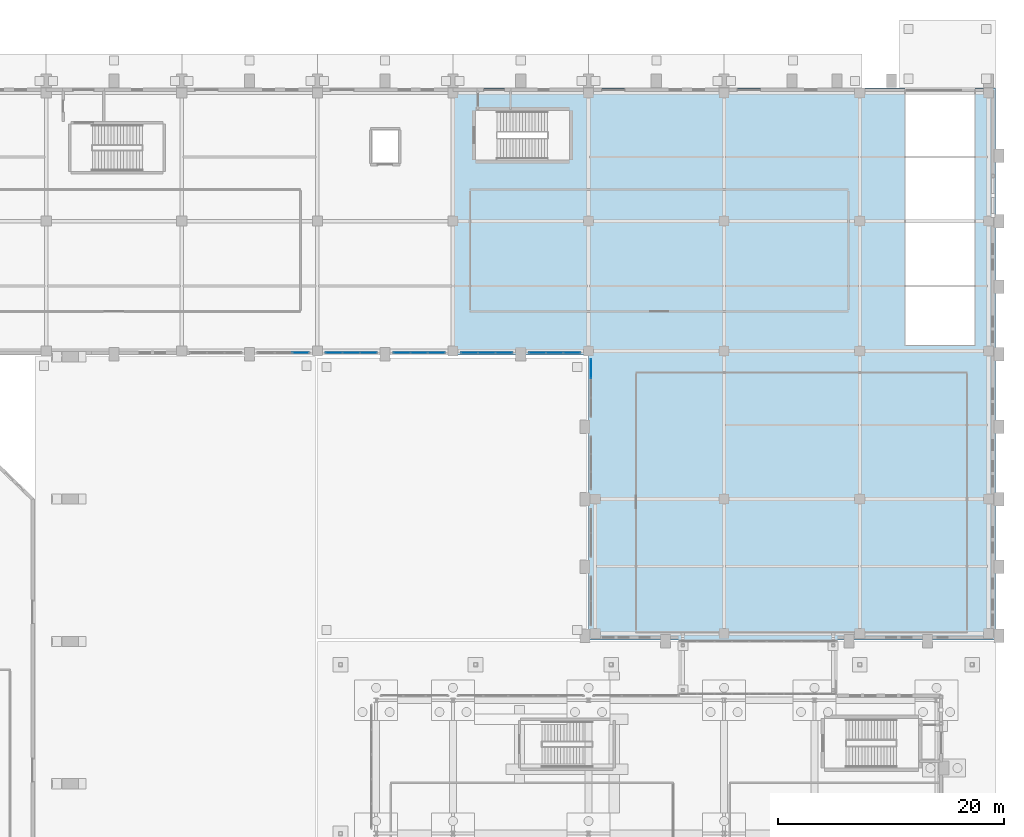
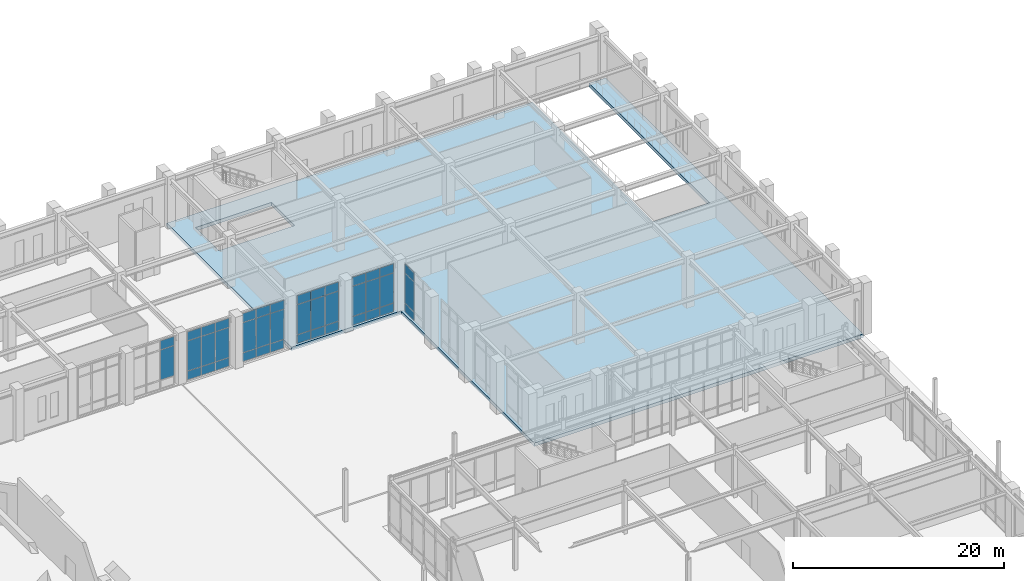
# One storey, part 96 of 143: 41 plates, 1 slab, 6 elements without a shape of their own.
"""IFC4 building model written with IfcOpenShell, lengths in metres."""

import ifcopenshell
import ifcopenshell.guid

model = None  # the IFC model being written
_history = None  # IfcOwnerHistory: only IFC2X3 demands one
_inside = {}  # id of a spatial element -> (the spatial element, [elements in it])
_under = {}  # id of a project, library or spatial element -> (it, [spatial elements below it])
_declared = {}  # id of a project -> (the project, [libraries it declares])
_typed = {}  # id of a type object -> (the type object, [elements of that type])
_made_of = {}  # id of a material, layer set ... -> (it, [elements and type objects made of it])


def new_model(schema):
    """Start an empty IFC model of exactly this schema.

    Asked for "IFC4X3", IfcOpenShell would pick the latest addendum, in which some entities
    have other attributes; the version numbers below select the first issue.
    IFC2X3 requires an IfcOwnerHistory on every rooted entity: one is made here for all.
    """
    global model, _history
    if schema == "IFC4X3":
        model = ifcopenshell.file(schema_version=(4, 3, 0, 0))
    else:
        model = ifcopenshell.file(schema=schema)
    _inside.clear()
    _under.clear()
    _declared.clear()
    _typed.clear()
    _made_of.clear()
    _history = None
    if model.schema == "IFC2X3":
        org = make("IfcOrganization", Name="unknown")
        user = make(
            "IfcPersonAndOrganization",
            ThePerson=make("IfcPerson", FamilyName="unknown"),
            TheOrganization=org,
        )
        app = make(
            "IfcApplication",
            ApplicationDeveloper=org,
            Version="unknown",
            ApplicationFullName="unknown",
            ApplicationIdentifier="unknown",
        )
        _history = make(
            "IfcOwnerHistory",
            OwningUser=user,
            OwningApplication=app,
            ChangeAction="ADDED",
            CreationDate=0,
        )
    return model


def make(cls, **values):
    """One entity of the class cls with the attributes given. An attribute that is None is left unset."""
    return model.create_entity(
        cls, **{name: value for name, value in values.items() if value is not None}
    )


def rooted(cls, **values):
    """An entity with a GlobalId (a new one), such as an element, a storey or a relation."""
    return make(cls, GlobalId=ifcopenshell.guid.new(), OwnerHistory=_history, **values)


def si_unit(unit_type, name, prefix=None):
    """IfcSIUnit, for example si_unit("LENGTHUNIT", "METRE", prefix="MILLI")."""
    return make("IfcSIUnit", UnitType=unit_type, Prefix=prefix, Name=name)


def derived_unit(unit_type, elements):
    """IfcDerivedUnit: a product of units, each with its exponent."""
    return make(
        "IfcDerivedUnit",
        Elements=[
            make("IfcDerivedUnitElement", Unit=unit, Exponent=power)
            for unit, power in elements
        ],
        UnitType=unit_type,
    )


def assignment(units):
    """IfcUnitAssignment: the units of a project."""
    return None if units is None else make("IfcUnitAssignment", Units=units)


def point(xyz):
    """IfcCartesianPoint."""
    return None if xyz is None else make("IfcCartesianPoint", Coordinates=xyz)


def direction(xyz):
    """IfcDirection."""
    return None if xyz is None else make("IfcDirection", DirectionRatios=xyz)


def frame(location, z_axis=None, x_axis=None):
    """IfcAxis2Placement3D, a coordinate frame: its origin and axes. An axis left out is left unset."""
    return make(
        "IfcAxis2Placement3D",
        Location=point(location),
        Axis=direction(z_axis),
        RefDirection=direction(x_axis),
    )


def frame_2d(location, x_axis=None):
    """IfcAxis2Placement2D, a coordinate frame in the plane: its origin and x axis."""
    return make(
        "IfcAxis2Placement2D", Location=point(location), RefDirection=direction(x_axis)
    )


def origin():
    """The frame at (0, 0, 0) with its axes left unset."""
    return frame((0.0, 0.0, 0.0))


def origin_2d():
    """The frame at (0, 0) in the plane with its x axis left unset."""
    return frame_2d((0.0, 0.0))


def place(relative_to, where):
    """IfcLocalPlacement: puts the frame where relative to a parent placement (None: the world)."""
    return make(
        "IfcLocalPlacement", PlacementRelTo=relative_to, RelativePlacement=where
    )


def context(
    kind, dimensions, precision=None, world=None, true_north=None, identifier=None
):
    """IfcGeometricRepresentationContext, for example the 3D "Model" context."""
    return make(
        "IfcGeometricRepresentationContext",
        ContextIdentifier=identifier,
        ContextType=kind,
        CoordinateSpaceDimension=dimensions,
        Precision=precision,
        WorldCoordinateSystem=world,
        TrueNorth=true_north,
    )


def subcontext(parent, identifier, kind, view, scale=None):
    """IfcGeometricRepresentationSubContext, for example "Body" below "Model"."""
    return make(
        "IfcGeometricRepresentationSubContext",
        ContextIdentifier=identifier,
        ContextType=kind,
        ParentContext=parent,
        TargetScale=scale,
        TargetView=view,
    )


def project(units=None, contexts=None):
    """IfcProject with its units and contexts."""
    return rooted(
        "IfcProject",
        Name="project",
        RepresentationContexts=contexts,
        UnitsInContext=assignment(units),
    )


def spatial(cls, under=None, at=None, **own):
    """A site, building, storey or space (cls), placed at a placement, below another one or the project."""
    s = rooted(cls, ObjectPlacement=at, **own)
    if under is not None:
        _under.setdefault(under.id(), (under, []))[1].append(s)
    return s


def polyline(points):
    """IfcPolyline through the points."""
    return make("IfcPolyline", Points=[point(p) for p in points])


def profile(cls, at=None, kind="AREA", **sizes):
    """A parametric profile (cls). Its sizes go by their IFC names, for example OverallWidth=200.0."""
    return make(cls, ProfileType=kind, Position=at, **sizes)


def rectangle(**sizes):
    """IfcRectangleProfileDef."""
    return profile("IfcRectangleProfileDef", **sizes)


def outline(outer, holes=None, kind="AREA"):
    """IfcArbitraryClosedProfileDef: a profile drawn as a closed curve; with holes, ...WithVoids."""
    if holes is None:
        return make("IfcArbitraryClosedProfileDef", ProfileType=kind, OuterCurve=outer)
    return make(
        "IfcArbitraryProfileDefWithVoids",
        ProfileType=kind,
        OuterCurve=outer,
        InnerCurves=holes,
    )


def extrude(swept, where, along, depth):
    """IfcExtrudedAreaSolid: the profile swept, set in the frame where, extruded along a direction by depth."""
    return make(
        "IfcExtrudedAreaSolid",
        SweptArea=swept,
        Position=where,
        ExtrudedDirection=direction(along),
        Depth=depth,
    )


def shape(context_of_items, identifier, shape_type, items):
    """IfcShapeRepresentation: the items that make up one representation, for example the "Body"."""
    return make(
        "IfcShapeRepresentation",
        ContextOfItems=context_of_items,
        RepresentationIdentifier=identifier,
        RepresentationType=shape_type,
        Items=items,
    )


def material(Name=None, Category=None):
    """IfcMaterial."""
    return make("IfcMaterial", Name=Name, Category=Category)


def layer(
    of_material, thickness, ventilated=None, Name=None, Category=None, Priority=None
):
    """IfcMaterialLayer: one layer of a wall or slab, of a material (None: an air gap)."""
    return make(
        "IfcMaterialLayer",
        Material=of_material,
        LayerThickness=thickness,
        IsVentilated=ventilated,
        Name=Name,
        Category=Category,
        Priority=Priority,
    )


def layer_set(layers, Name=None):
    """IfcMaterialLayerSet."""
    return make("IfcMaterialLayerSet", MaterialLayers=layers, LayerSetName=Name)


def made_of(thing, what):
    """Note that an element or type object is made of a material, layer set ...; save() writes the relation."""
    if what is not None:
        _made_of.setdefault(what.id(), (what, []))[1].append(thing)
    return thing


def type_object(cls, material=None, **own):
    """A type object (cls), such as IfcWallType, which elements share."""
    return made_of(rooted(cls, **own), material)


def element(
    cls,
    number,
    at=None,
    inside=None,
    cuts=None,
    type_object=None,
    material=None,
    context=None,
    identifier="Body",
    shape_type=None,
    held_by="IfcProductDefinitionShape",
    body=None,
    shapes=None,
    **own,
):
    """One element of the class cls, such as IfcWall. Its Tag is "e" and its number.

    at: its placement. inside: the storey or other place that contains it. cuts: it is an
    opening in that element (IfcRelVoidsElement). A single representation is given by context,
    identifier, shape_type and body (its items); several are given by shapes. held_by: the class
    of the entity that holds the representations. save() writes the other relations.
    """
    e = rooted(cls, Tag="e%d" % number, ObjectPlacement=at, **own)
    if body is not None:
        shapes = [shape(context, identifier, shape_type, body)]
    if shapes is not None:
        e.Representation = make(held_by, Representations=shapes)
    if inside is not None:
        _inside.setdefault(inside.id(), (inside, []))[1].append(e)
    if cuts is not None:
        rooted(
            "IfcRelVoidsElement", RelatingBuildingElement=cuts, RelatedOpeningElement=e
        )
    if type_object is not None:
        _typed.setdefault(type_object.id(), (type_object, []))[1].append(e)
    return made_of(e, material)


def aggregate(whole, parts):
    """IfcRelAggregates: a whole, such as a stair, and the parts it consists of."""
    return rooted("IfcRelAggregates", RelatingObject=whole, RelatedObjects=parts)


def save(model, path):
    """Write the relations noted so far, then the file.

    IfcRelAggregates (storeys below a building ...), IfcRelContainedInSpatialStructure (elements
    in a storey), IfcRelDefinesByType, IfcRelAssociatesMaterial and IfcRelDeclares: one each for
    every whole, place, type object, material and project.
    """
    for whole, parts in _under.values():
        aggregate(whole, parts)
    for where, things in _inside.values():
        rooted(
            "IfcRelContainedInSpatialStructure",
            RelatedElements=things,
            RelatingStructure=where,
        )
    for kind, things in _typed.values():
        rooted("IfcRelDefinesByType", RelatedObjects=things, RelatingType=kind)
    for what, things in _made_of.values():
        rooted("IfcRelAssociatesMaterial", RelatedObjects=things, RelatingMaterial=what)
    for by, libraries in _declared.values():
        rooted("IfcRelDeclares", RelatingContext=by, RelatedDefinitions=libraries)
    model.write(path)


model = new_model("IFC4")

# Units and contexts
model_context = context("Model", 3, precision=1e-05, world=origin(), true_north=direction((0.0, 1.0)))
body_context = subcontext(model_context, "Body", "Model", "MODEL_VIEW")
ifc_project = project(units=[si_unit("LENGTHUNIT", "METRE"), si_unit("AREAUNIT", "SQUARE_METRE"), si_unit("VOLUMEUNIT", "CUBIC_METRE"), si_unit("PLANEANGLEUNIT", "RADIAN"), si_unit("MASSUNIT", "GRAM", prefix="KILO"), derived_unit("THERMALTRANSMITTANCEUNIT", [(si_unit("MASSUNIT", "GRAM", prefix="KILO"), 1), (si_unit("TIMEUNIT", "SECOND"), -3), (si_unit("THERMODYNAMICTEMPERATUREUNIT", "KELVIN"), -1)])], contexts=[model_context])

# Site, building, storey
site_placement = place(None, origin())
site = spatial("IfcSite", under=ifc_project, at=site_placement, CompositionType="ELEMENT")
building_placement = place(site_placement, origin())
building = spatial("IfcBuilding", under=site, at=building_placement, Name="Valcora Ridge Arena", CompositionType="ELEMENT")
storey_placement = place(building_placement, origin())
storey = spatial("IfcBuildingStorey", under=building, at=storey_placement, Name="L00", CompositionType="ELEMENT", Elevation=0.0)

# Curtain wall, plates
ifc_material_1 = material(Name="Anodised dark bronze architectural aluminium 6063-T6", Category="aluminium")
ifc_layer_1 = layer(ifc_material_1, 0.14990234375, Name="Anodised dark bronze architectural aluminium 6063-T6")
ifc_layer_set_1 = layer_set([ifc_layer_1], Name="Anodised dark bronze architectural aluminium 6063-T6")
curtain_wall_type_1 = type_object("IfcCurtainWallType", Name="TY-CURTAINWALL-CW-V5-MED-046X56", PredefinedType="NOTDEFINED", material=ifc_layer_set_1)
curtain_wall_1_placement = place(storey_placement, origin())
curtain_wall_1 = element("IfcCurtainWall", 1, at=curtain_wall_1_placement, inside=storey, type_object=curtain_wall_type_1, Name="CW-V5-MED-046X56 CW-0308", PredefinedType="NOTDEFINED")
ifc_material_2 = material(Name="Low-iron solar-control double glazing SHGC 0.28", Category="glass")
ifc_layer_2 = layer(ifc_material_2, 0.028076171875, Name="Low-iron solar-control double glazing SHGC 0.28")
ifc_layer_set_2 = layer_set([ifc_layer_2], Name="Low-iron solar-control double glazing SHGC 0.28")
plate_type_1 = type_object("IfcPlateType", Name="TY-PLT-CWP-1465X0975", PredefinedType="CURTAIN_PANEL", material=ifc_layer_set_2)
plate_1_placement = place(storey_placement, frame((133.472412109375, 108.550048828125, 0.050048828125), z_axis=(0.0, 0.0, 1.0), x_axis=(1.0, 0.0, 0.0)))
plate_1 = element("IfcPlate", 2, at=plate_1_placement, type_object=plate_type_1, Name="CW-0308/P00-00", PredefinedType="CURTAIN_PANEL", context=body_context, shape_type="SweptSolid", body=[
    extrude(rectangle(XDim=1.465087890625, YDim=0.028076171875, at=origin_2d()), origin(), (0.0, 0.0, 1.0), 0.97509765625),
])
plate_2_placement = place(storey_placement, frame((136.527587890625, 108.550048828125, 0.050048828125), z_axis=(0.0, 0.0, 1.0), x_axis=(1.0, 0.0, 0.0)))
plate_2 = element("IfcPlate", 3, at=plate_2_placement, type_object=plate_type_1, Name="CW-0308/P02-00", PredefinedType="CURTAIN_PANEL", context=body_context, shape_type="SweptSolid", body=[
    extrude(rectangle(XDim=1.465087890625, YDim=0.028076171875, at=origin_2d()), origin(), (0.0, 0.0, 1.0), 0.97509765625),
])

curtain_wall_2_placement = place(storey_placement, origin())
curtain_wall_2 = element("IfcCurtainWall", 4, at=curtain_wall_2_placement, inside=storey, type_object=curtain_wall_type_1, Name="CW-V5-MED-046X56 CW-0309", PredefinedType="NOTDEFINED")
plate_3_placement = place(storey_placement, frame((139.472412109375, 108.550048828125, 0.050048828125), z_axis=(0.0, 0.0, 1.0), x_axis=(1.0, 0.0, 0.0)))
plate_3 = element("IfcPlate", 5, at=plate_3_placement, type_object=plate_type_1, Name="CW-0309/P00-00", PredefinedType="CURTAIN_PANEL", context=body_context, shape_type="SweptSolid", body=[
    extrude(rectangle(XDim=1.465087890625, YDim=0.028076171875, at=origin_2d()), origin(), (0.0, 0.0, 1.0), 0.97509765625),
])
plate_4_placement = place(storey_placement, frame((142.527587890625, 108.550048828125, 0.050048828125), z_axis=(0.0, 0.0, 1.0), x_axis=(1.0, 0.0, 0.0)))
plate_4 = element("IfcPlate", 6, at=plate_4_placement, type_object=plate_type_1, Name="CW-0309/P02-00", PredefinedType="CURTAIN_PANEL", context=body_context, shape_type="SweptSolid", body=[
    extrude(rectangle(XDim=1.465087890625, YDim=0.028076171875, at=origin_2d()), origin(), (0.0, 0.0, 1.0), 0.97509765625),
])

curtain_wall_3_placement = place(storey_placement, origin())
curtain_wall_3 = element("IfcCurtainWall", 7, at=curtain_wall_3_placement, inside=storey, type_object=curtain_wall_type_1, Name="CW-V5-MED-046X56 CW-0310", PredefinedType="NOTDEFINED")
plate_5_placement = place(storey_placement, frame((145.472412109375, 108.550048828125, 0.050048828125), z_axis=(0.0, 0.0, 1.0), x_axis=(1.0, 0.0, 0.0)))
plate_5 = element("IfcPlate", 8, at=plate_5_placement, type_object=plate_type_1, Name="CW-0310/P00-00", PredefinedType="CURTAIN_PANEL", context=body_context, shape_type="SweptSolid", body=[
    extrude(rectangle(XDim=1.465087890625, YDim=0.028076171875, at=origin_2d()), origin(), (0.0, 0.0, 1.0), 0.97509765625),
])
plate_6_placement = place(storey_placement, frame((148.527587890625, 108.550048828125, 0.050048828125), z_axis=(0.0, 0.0, 1.0), x_axis=(1.0, 0.0, 0.0)))
plate_6 = element("IfcPlate", 9, at=plate_6_placement, type_object=plate_type_1, Name="CW-0310/P02-00", PredefinedType="CURTAIN_PANEL", context=body_context, shape_type="SweptSolid", body=[
    extrude(rectangle(XDim=1.465087890625, YDim=0.028076171875, at=origin_2d()), origin(), (0.0, 0.0, 1.0), 0.97509765625),
])

curtain_wall_4_placement = place(storey_placement, origin())
curtain_wall_4 = element("IfcCurtainWall", 10, at=curtain_wall_4_placement, inside=storey, type_object=curtain_wall_type_1, Name="CW-V5-MED-046X56 CW-0311", PredefinedType="NOTDEFINED")
plate_7_placement = place(storey_placement, frame((151.472412109375, 108.550048828125, 0.050048828125), z_axis=(0.0, 0.0, 1.0), x_axis=(1.0, 0.0, 0.0)))
plate_7 = element("IfcPlate", 11, at=plate_7_placement, type_object=plate_type_1, Name="CW-0311/P00-00", PredefinedType="CURTAIN_PANEL", context=body_context, shape_type="SweptSolid", body=[
    extrude(rectangle(XDim=1.465087890625, YDim=0.028076171875, at=origin_2d()), origin(), (0.0, 0.0, 1.0), 0.97509765625),
])
plate_8_placement = place(storey_placement, frame((154.527587890625, 108.550048828125, 0.050048828125), z_axis=(0.0, 0.0, 1.0), x_axis=(1.0, 0.0, 0.0)))
plate_8 = element("IfcPlate", 12, at=plate_8_placement, type_object=plate_type_1, Name="CW-0311/P02-00", PredefinedType="CURTAIN_PANEL", context=body_context, shape_type="SweptSolid", body=[
    extrude(rectangle(XDim=1.465087890625, YDim=0.028076171875, at=origin_2d()), origin(), (0.0, 0.0, 1.0), 0.97509765625),
])

# Curtain wall, plate
curtain_wall_5_placement = place(storey_placement, origin())
curtain_wall_5 = element("IfcCurtainWall", 13, at=curtain_wall_5_placement, inside=storey, type_object=curtain_wall_type_1, Name="CW-V5-MED-046X56 CW-0307", PredefinedType="NOTDEFINED")
ifc_layer_3 = layer(ifc_material_2, 0.028076171875, Name="Low-iron solar-control double glazing SHGC 0.28")
ifc_layer_set_3 = layer_set([ifc_layer_3], Name="Low-iron solar-control double glazing SHGC 0.28")
plate_type_2 = type_object("IfcPlateType", Name="TY-PLT-CWP-1465X1025", PredefinedType="CURTAIN_PANEL", material=ifc_layer_set_3)
plate_9_placement = place(storey_placement, frame((130.527587890625, 108.550048828125, 4.56494140625), z_axis=(0.0, 0.0, 1.0), x_axis=(1.0, 0.0, 0.0)))
plate_9 = element("IfcPlate", 14, at=plate_9_placement, type_object=plate_type_2, Name="CW-0307/P02-02", PredefinedType="CURTAIN_PANEL", context=body_context, shape_type="SweptSolid", body=[
    extrude(rectangle(XDim=1.465087890625, YDim=0.028076171875, at=origin_2d()), origin(), (0.0, 0.0, 1.0), 1.02490234375),
])

# Plate
plate_10_placement = place(storey_placement, frame((133.472412109375, 108.550048828125, 4.56494140625), z_axis=(0.0, 0.0, 1.0), x_axis=(1.0, 0.0, 0.0)))
plate_10 = element("IfcPlate", 15, at=plate_10_placement, type_object=plate_type_2, Name="CW-0308/P00-02", PredefinedType="CURTAIN_PANEL", context=body_context, shape_type="SweptSolid", body=[
    extrude(rectangle(XDim=1.465087890625, YDim=0.028076171875, at=origin_2d()), origin(), (0.0, 0.0, 1.0), 1.02490234375),
])

plate_11_placement = place(storey_placement, frame((136.527587890625, 108.550048828125, 4.56494140625), z_axis=(0.0, 0.0, 1.0), x_axis=(1.0, 0.0, 0.0)))
plate_11 = element("IfcPlate", 16, at=plate_11_placement, type_object=plate_type_2, Name="CW-0308/P02-02", PredefinedType="CURTAIN_PANEL", context=body_context, shape_type="SweptSolid", body=[
    extrude(rectangle(XDim=1.465087890625, YDim=0.028076171875, at=origin_2d()), origin(), (0.0, 0.0, 1.0), 1.02490234375),
])

plate_12_placement = place(storey_placement, frame((139.472412109375, 108.550048828125, 4.56494140625), z_axis=(0.0, 0.0, 1.0), x_axis=(1.0, 0.0, 0.0)))
plate_12 = element("IfcPlate", 17, at=plate_12_placement, type_object=plate_type_2, Name="CW-0309/P00-02", PredefinedType="CURTAIN_PANEL", context=body_context, shape_type="SweptSolid", body=[
    extrude(rectangle(XDim=1.465087890625, YDim=0.028076171875, at=origin_2d()), origin(), (0.0, 0.0, 1.0), 1.02490234375),
])

plate_13_placement = place(storey_placement, frame((142.527587890625, 108.550048828125, 4.56494140625), z_axis=(0.0, 0.0, 1.0), x_axis=(1.0, 0.0, 0.0)))
plate_13 = element("IfcPlate", 18, at=plate_13_placement, type_object=plate_type_2, Name="CW-0309/P02-02", PredefinedType="CURTAIN_PANEL", context=body_context, shape_type="SweptSolid", body=[
    extrude(rectangle(XDim=1.465087890625, YDim=0.028076171875, at=origin_2d()), origin(), (0.0, 0.0, 1.0), 1.02490234375),
])

plate_14_placement = place(storey_placement, frame((145.472412109375, 108.550048828125, 4.56494140625), z_axis=(0.0, 0.0, 1.0), x_axis=(1.0, 0.0, 0.0)))
plate_14 = element("IfcPlate", 19, at=plate_14_placement, type_object=plate_type_2, Name="CW-0310/P00-02", PredefinedType="CURTAIN_PANEL", context=body_context, shape_type="SweptSolid", body=[
    extrude(rectangle(XDim=1.465087890625, YDim=0.028076171875, at=origin_2d()), origin(), (0.0, 0.0, 1.0), 1.02490234375),
])

plate_15_placement = place(storey_placement, frame((148.527587890625, 108.550048828125, 4.56494140625), z_axis=(0.0, 0.0, 1.0), x_axis=(1.0, 0.0, 0.0)))
plate_15 = element("IfcPlate", 20, at=plate_15_placement, type_object=plate_type_2, Name="CW-0310/P02-02", PredefinedType="CURTAIN_PANEL", context=body_context, shape_type="SweptSolid", body=[
    extrude(rectangle(XDim=1.465087890625, YDim=0.028076171875, at=origin_2d()), origin(), (0.0, 0.0, 1.0), 1.02490234375),
])

plate_16_placement = place(storey_placement, frame((151.472412109375, 108.550048828125, 4.56494140625), z_axis=(0.0, 0.0, 1.0), x_axis=(1.0, 0.0, 0.0)))
plate_16 = element("IfcPlate", 21, at=plate_16_placement, type_object=plate_type_2, Name="CW-0311/P00-02", PredefinedType="CURTAIN_PANEL", context=body_context, shape_type="SweptSolid", body=[
    extrude(rectangle(XDim=1.465087890625, YDim=0.028076171875, at=origin_2d()), origin(), (0.0, 0.0, 1.0), 1.02490234375),
])

plate_17_placement = place(storey_placement, frame((154.527587890625, 108.550048828125, 4.56494140625), z_axis=(0.0, 0.0, 1.0), x_axis=(1.0, 0.0, 0.0)))
plate_17 = element("IfcPlate", 22, at=plate_17_placement, type_object=plate_type_2, Name="CW-0311/P02-02", PredefinedType="CURTAIN_PANEL", context=body_context, shape_type="SweptSolid", body=[
    extrude(rectangle(XDim=1.465087890625, YDim=0.028076171875, at=origin_2d()), origin(), (0.0, 0.0, 1.0), 1.02490234375),
])

ifc_layer_4 = layer(ifc_material_2, 0.028076171875, Name="Low-iron solar-control double glazing SHGC 0.28")
ifc_layer_set_4 = layer_set([ifc_layer_4], Name="Low-iron solar-control double glazing SHGC 0.28")
plate_type_3 = type_object("IfcPlateType", Name="TY-PLT-CWP-1465X3440", PredefinedType="CURTAIN_PANEL", material=ifc_layer_set_4)
plate_18_placement = place(storey_placement, frame((130.527587890625, 108.550048828125, 1.074951171875), z_axis=(0.0, 0.0, 1.0), x_axis=(1.0, 0.0, 0.0)))
plate_18 = element("IfcPlate", 23, at=plate_18_placement, type_object=plate_type_3, Name="CW-0307/P02-01", PredefinedType="CURTAIN_PANEL", context=body_context, shape_type="SweptSolid", body=[
    extrude(rectangle(XDim=1.465087890625, YDim=0.028076171875, at=origin_2d()), origin(), (0.0, 0.0, 1.0), 3.43994140625),
])

aggregate(curtain_wall_5, [plate_18, plate_9])

plate_19_placement = place(storey_placement, frame((133.472412109375, 108.550048828125, 1.074951171875), z_axis=(0.0, 0.0, 1.0), x_axis=(1.0, 0.0, 0.0)))
plate_19 = element("IfcPlate", 24, at=plate_19_placement, type_object=plate_type_3, Name="CW-0308/P00-01", PredefinedType="CURTAIN_PANEL", context=body_context, shape_type="SweptSolid", body=[
    extrude(rectangle(XDim=1.465087890625, YDim=0.028076171875, at=origin_2d()), origin(), (0.0, 0.0, 1.0), 3.43994140625),
])

plate_20_placement = place(storey_placement, frame((136.527587890625, 108.550048828125, 1.074951171875), z_axis=(0.0, 0.0, 1.0), x_axis=(1.0, 0.0, 0.0)))
plate_20 = element("IfcPlate", 25, at=plate_20_placement, type_object=plate_type_3, Name="CW-0308/P02-01", PredefinedType="CURTAIN_PANEL", context=body_context, shape_type="SweptSolid", body=[
    extrude(rectangle(XDim=1.465087890625, YDim=0.028076171875, at=origin_2d()), origin(), (0.0, 0.0, 1.0), 3.43994140625),
])

plate_21_placement = place(storey_placement, frame((139.472412109375, 108.550048828125, 1.074951171875), z_axis=(0.0, 0.0, 1.0), x_axis=(1.0, 0.0, 0.0)))
plate_21 = element("IfcPlate", 26, at=plate_21_placement, type_object=plate_type_3, Name="CW-0309/P00-01", PredefinedType="CURTAIN_PANEL", context=body_context, shape_type="SweptSolid", body=[
    extrude(rectangle(XDim=1.465087890625, YDim=0.028076171875, at=origin_2d()), origin(), (0.0, 0.0, 1.0), 3.43994140625),
])

plate_22_placement = place(storey_placement, frame((142.527587890625, 108.550048828125, 1.074951171875), z_axis=(0.0, 0.0, 1.0), x_axis=(1.0, 0.0, 0.0)))
plate_22 = element("IfcPlate", 27, at=plate_22_placement, type_object=plate_type_3, Name="CW-0309/P02-01", PredefinedType="CURTAIN_PANEL", context=body_context, shape_type="SweptSolid", body=[
    extrude(rectangle(XDim=1.465087890625, YDim=0.028076171875, at=origin_2d()), origin(), (0.0, 0.0, 1.0), 3.43994140625),
])

plate_23_placement = place(storey_placement, frame((145.472412109375, 108.550048828125, 1.074951171875), z_axis=(0.0, 0.0, 1.0), x_axis=(1.0, 0.0, 0.0)))
plate_23 = element("IfcPlate", 28, at=plate_23_placement, type_object=plate_type_3, Name="CW-0310/P00-01", PredefinedType="CURTAIN_PANEL", context=body_context, shape_type="SweptSolid", body=[
    extrude(rectangle(XDim=1.465087890625, YDim=0.028076171875, at=origin_2d()), origin(), (0.0, 0.0, 1.0), 3.43994140625),
])

plate_24_placement = place(storey_placement, frame((148.527587890625, 108.550048828125, 1.074951171875), z_axis=(0.0, 0.0, 1.0), x_axis=(1.0, 0.0, 0.0)))
plate_24 = element("IfcPlate", 29, at=plate_24_placement, type_object=plate_type_3, Name="CW-0310/P02-01", PredefinedType="CURTAIN_PANEL", context=body_context, shape_type="SweptSolid", body=[
    extrude(rectangle(XDim=1.465087890625, YDim=0.028076171875, at=origin_2d()), origin(), (0.0, 0.0, 1.0), 3.43994140625),
])

plate_25_placement = place(storey_placement, frame((151.472412109375, 108.550048828125, 1.074951171875), z_axis=(0.0, 0.0, 1.0), x_axis=(1.0, 0.0, 0.0)))
plate_25 = element("IfcPlate", 30, at=plate_25_placement, type_object=plate_type_3, Name="CW-0311/P00-01", PredefinedType="CURTAIN_PANEL", context=body_context, shape_type="SweptSolid", body=[
    extrude(rectangle(XDim=1.465087890625, YDim=0.028076171875, at=origin_2d()), origin(), (0.0, 0.0, 1.0), 3.43994140625),
])

plate_26_placement = place(storey_placement, frame((154.527587890625, 108.550048828125, 1.074951171875), z_axis=(0.0, 0.0, 1.0), x_axis=(1.0, 0.0, 0.0)))
plate_26 = element("IfcPlate", 31, at=plate_26_placement, type_object=plate_type_3, Name="CW-0311/P02-01", PredefinedType="CURTAIN_PANEL", context=body_context, shape_type="SweptSolid", body=[
    extrude(rectangle(XDim=1.465087890625, YDim=0.028076171875, at=origin_2d()), origin(), (0.0, 0.0, 1.0), 3.43994140625),
])

ifc_layer_5 = layer(ifc_material_2, 0.028076171875, Name="Low-iron solar-control double glazing SHGC 0.28")
ifc_layer_set_5 = layer_set([ifc_layer_5], Name="Low-iron solar-control double glazing SHGC 0.28")
plate_type_4 = type_object("IfcPlateType", Name="TY-PLT-CWP-1490X0975", PredefinedType="CURTAIN_PANEL", material=ifc_layer_set_5)
plate_27_placement = place(storey_placement, frame((135.0, 108.550048828125, 0.050048828125), z_axis=(0.0, 0.0, 1.0), x_axis=(1.0, 0.0, 0.0)))
plate_27 = element("IfcPlate", 32, at=plate_27_placement, type_object=plate_type_4, Name="CW-0308/P01-00", PredefinedType="CURTAIN_PANEL", context=body_context, shape_type="SweptSolid", body=[
    extrude(rectangle(XDim=1.489990234375, YDim=0.028076171875, at=origin_2d()), origin(), (0.0, 0.0, 1.0), 0.97509765625),
])

plate_28_placement = place(storey_placement, frame((141.0, 108.550048828125, 0.050048828125), z_axis=(0.0, 0.0, 1.0), x_axis=(1.0, 0.0, 0.0)))
plate_28 = element("IfcPlate", 33, at=plate_28_placement, type_object=plate_type_4, Name="CW-0309/P01-00", PredefinedType="CURTAIN_PANEL", context=body_context, shape_type="SweptSolid", body=[
    extrude(rectangle(XDim=1.489990234375, YDim=0.028076171875, at=origin_2d()), origin(), (0.0, 0.0, 1.0), 0.97509765625),
])

plate_29_placement = place(storey_placement, frame((147.0, 108.550048828125, 0.050048828125), z_axis=(0.0, 0.0, 1.0), x_axis=(1.0, 0.0, 0.0)))
plate_29 = element("IfcPlate", 34, at=plate_29_placement, type_object=plate_type_4, Name="CW-0310/P01-00", PredefinedType="CURTAIN_PANEL", context=body_context, shape_type="SweptSolid", body=[
    extrude(rectangle(XDim=1.489990234375, YDim=0.028076171875, at=origin_2d()), origin(), (0.0, 0.0, 1.0), 0.97509765625),
])

plate_30_placement = place(storey_placement, frame((153.0, 108.550048828125, 0.050048828125), z_axis=(0.0, 0.0, 1.0), x_axis=(1.0, 0.0, 0.0)))
plate_30 = element("IfcPlate", 35, at=plate_30_placement, type_object=plate_type_4, Name="CW-0311/P01-00", PredefinedType="CURTAIN_PANEL", context=body_context, shape_type="SweptSolid", body=[
    extrude(rectangle(XDim=1.489990234375, YDim=0.028076171875, at=origin_2d()), origin(), (0.0, 0.0, 1.0), 0.97509765625),
])

ifc_layer_6 = layer(ifc_material_2, 0.028076171875, Name="Low-iron solar-control double glazing SHGC 0.28")
ifc_layer_set_6 = layer_set([ifc_layer_6], Name="Low-iron solar-control double glazing SHGC 0.28")
plate_type_5 = type_object("IfcPlateType", Name="TY-PLT-CWP-1490X1025", PredefinedType="CURTAIN_PANEL", material=ifc_layer_set_6)
plate_31_placement = place(storey_placement, frame((135.0, 108.550048828125, 4.56494140625), z_axis=(0.0, 0.0, 1.0), x_axis=(1.0, 0.0, 0.0)))
plate_31 = element("IfcPlate", 36, at=plate_31_placement, type_object=plate_type_5, Name="CW-0308/P01-02", PredefinedType="CURTAIN_PANEL", context=body_context, shape_type="SweptSolid", body=[
    extrude(rectangle(XDim=1.489990234375, YDim=0.028076171875, at=origin_2d()), origin(), (0.0, 0.0, 1.0), 1.02490234375),
])

plate_32_placement = place(storey_placement, frame((141.0, 108.550048828125, 4.56494140625), z_axis=(0.0, 0.0, 1.0), x_axis=(1.0, 0.0, 0.0)))
plate_32 = element("IfcPlate", 37, at=plate_32_placement, type_object=plate_type_5, Name="CW-0309/P01-02", PredefinedType="CURTAIN_PANEL", context=body_context, shape_type="SweptSolid", body=[
    extrude(rectangle(XDim=1.489990234375, YDim=0.028076171875, at=origin_2d()), origin(), (0.0, 0.0, 1.0), 1.02490234375),
])

plate_33_placement = place(storey_placement, frame((147.0, 108.550048828125, 4.56494140625), z_axis=(0.0, 0.0, 1.0), x_axis=(1.0, 0.0, 0.0)))
plate_33 = element("IfcPlate", 38, at=plate_33_placement, type_object=plate_type_5, Name="CW-0310/P01-02", PredefinedType="CURTAIN_PANEL", context=body_context, shape_type="SweptSolid", body=[
    extrude(rectangle(XDim=1.489990234375, YDim=0.028076171875, at=origin_2d()), origin(), (0.0, 0.0, 1.0), 1.02490234375),
])

plate_34_placement = place(storey_placement, frame((153.0, 108.550048828125, 4.56494140625), z_axis=(0.0, 0.0, 1.0), x_axis=(1.0, 0.0, 0.0)))
plate_34 = element("IfcPlate", 39, at=plate_34_placement, type_object=plate_type_5, Name="CW-0311/P01-02", PredefinedType="CURTAIN_PANEL", context=body_context, shape_type="SweptSolid", body=[
    extrude(rectangle(XDim=1.489990234375, YDim=0.028076171875, at=origin_2d()), origin(), (0.0, 0.0, 1.0), 1.02490234375),
])

ifc_layer_7 = layer(ifc_material_2, 0.028076171875, Name="Low-iron solar-control double glazing SHGC 0.28")
ifc_layer_set_7 = layer_set([ifc_layer_7], Name="Low-iron solar-control double glazing SHGC 0.28")
plate_type_6 = type_object("IfcPlateType", Name="TY-PLT-CWP-1490X3440", PredefinedType="CURTAIN_PANEL", material=ifc_layer_set_7)
plate_35_placement = place(storey_placement, frame((135.0, 108.550048828125, 1.074951171875), z_axis=(0.0, 0.0, 1.0), x_axis=(1.0, 0.0, 0.0)))
plate_35 = element("IfcPlate", 40, at=plate_35_placement, type_object=plate_type_6, Name="CW-0308/P01-01", PredefinedType="CURTAIN_PANEL", context=body_context, shape_type="SweptSolid", body=[
    extrude(rectangle(XDim=1.489990234375, YDim=0.028076171875, at=origin_2d()), origin(), (0.0, 0.0, 1.0), 3.43994140625),
])

aggregate(curtain_wall_1, [plate_1, plate_19, plate_10, plate_27, plate_35, plate_31, plate_2, plate_20, plate_11])

plate_36_placement = place(storey_placement, frame((141.0, 108.550048828125, 1.074951171875), z_axis=(0.0, 0.0, 1.0), x_axis=(1.0, 0.0, 0.0)))
plate_36 = element("IfcPlate", 41, at=plate_36_placement, type_object=plate_type_6, Name="CW-0309/P01-01", PredefinedType="CURTAIN_PANEL", context=body_context, shape_type="SweptSolid", body=[
    extrude(rectangle(XDim=1.489990234375, YDim=0.028076171875, at=origin_2d()), origin(), (0.0, 0.0, 1.0), 3.43994140625),
])

aggregate(curtain_wall_2, [plate_3, plate_21, plate_12, plate_28, plate_36, plate_32, plate_4, plate_22, plate_13])

plate_37_placement = place(storey_placement, frame((147.0, 108.550048828125, 1.074951171875), z_axis=(0.0, 0.0, 1.0), x_axis=(1.0, 0.0, 0.0)))
plate_37 = element("IfcPlate", 42, at=plate_37_placement, type_object=plate_type_6, Name="CW-0310/P01-01", PredefinedType="CURTAIN_PANEL", context=body_context, shape_type="SweptSolid", body=[
    extrude(rectangle(XDim=1.489990234375, YDim=0.028076171875, at=origin_2d()), origin(), (0.0, 0.0, 1.0), 3.43994140625),
])

aggregate(curtain_wall_3, [plate_5, plate_23, plate_14, plate_29, plate_37, plate_33, plate_6, plate_24, plate_15])

plate_38_placement = place(storey_placement, frame((153.0, 108.550048828125, 1.074951171875), z_axis=(0.0, 0.0, 1.0), x_axis=(1.0, 0.0, 0.0)))
plate_38 = element("IfcPlate", 43, at=plate_38_placement, type_object=plate_type_6, Name="CW-0311/P01-01", PredefinedType="CURTAIN_PANEL", context=body_context, shape_type="SweptSolid", body=[
    extrude(rectangle(XDim=1.489990234375, YDim=0.028076171875, at=origin_2d()), origin(), (0.0, 0.0, 1.0), 3.43994140625),
])

aggregate(curtain_wall_4, [plate_7, plate_25, plate_16, plate_30, plate_38, plate_34, plate_8, plate_26, plate_17])

# Curtain wall, plates
ifc_layer_8 = layer(ifc_material_1, 0.14990234375, Name="Anodised dark bronze architectural aluminium 6063-T6")
ifc_layer_set_8 = layer_set([ifc_layer_8], Name="Anodised dark bronze architectural aluminium 6063-T6")
curtain_wall_type_2 = type_object("IfcCurtainWallType", Name="TY-CURTAINWALL-CW-V5-MED-052X56", PredefinedType="NOTDEFINED", material=ifc_layer_set_8)
curtain_wall_6_placement = place(storey_placement, origin())
curtain_wall_6 = element("IfcCurtainWall", 44, at=curtain_wall_6_placement, inside=storey, type_object=curtain_wall_type_2, Name="CW-V5-MED-052X56 CW-0315", PredefinedType="NOTDEFINED")
ifc_layer_9 = layer(ifc_material_2, 0.028076171875, Name="Low-iron solar-control double glazing SHGC 0.28")
ifc_layer_set_9 = layer_set([ifc_layer_9], Name="Low-iron solar-control double glazing SHGC 0.28")
plate_type_7 = type_object("IfcPlateType", Name="TY-PLT-CWP-1648X0975", PredefinedType="CURTAIN_PANEL", material=ifc_layer_set_9)
plate_39_placement = place(storey_placement, frame((156.219970703125, 107.135986328125, 0.050048828125), z_axis=(0.0, 0.0, 1.0), x_axis=(0.0, 1.0, 0.0)))
plate_39 = element("IfcPlate", 45, at=plate_39_placement, type_object=plate_type_7, Name="CW-0315/P02-00", PredefinedType="CURTAIN_PANEL", context=body_context, shape_type="SweptSolid", body=[
    extrude(rectangle(XDim=1.64794921875, YDim=0.028076171875, at=origin_2d()), origin(), (0.0, 0.0, 1.0), 0.97509765625),
])
ifc_layer_10 = layer(ifc_material_2, 0.028076171875, Name="Low-iron solar-control double glazing SHGC 0.28")
ifc_layer_set_10 = layer_set([ifc_layer_10], Name="Low-iron solar-control double glazing SHGC 0.28")
plate_type_8 = type_object("IfcPlateType", Name="TY-PLT-CWP-1648X1025", PredefinedType="CURTAIN_PANEL", material=ifc_layer_set_10)
plate_40_placement = place(storey_placement, frame((156.219970703125, 107.135986328125, 4.56494140625), z_axis=(0.0, 0.0, 1.0), x_axis=(0.0, 1.0, 0.0)))
plate_40 = element("IfcPlate", 46, at=plate_40_placement, type_object=plate_type_8, Name="CW-0315/P02-02", PredefinedType="CURTAIN_PANEL", context=body_context, shape_type="SweptSolid", body=[
    extrude(rectangle(XDim=1.64794921875, YDim=0.028076171875, at=origin_2d()), origin(), (0.0, 0.0, 1.0), 1.02490234375),
])
ifc_layer_11 = layer(ifc_material_2, 0.028076171875, Name="Low-iron solar-control double glazing SHGC 0.28")
ifc_layer_set_11 = layer_set([ifc_layer_11], Name="Low-iron solar-control double glazing SHGC 0.28")
plate_type_9 = type_object("IfcPlateType", Name="TY-PLT-CWP-1648X3440", PredefinedType="CURTAIN_PANEL", material=ifc_layer_set_11)
plate_41_placement = place(storey_placement, frame((156.219970703125, 107.135986328125, 1.074951171875), z_axis=(0.0, 0.0, 1.0), x_axis=(0.0, 1.0, 0.0)))
plate_41 = element("IfcPlate", 47, at=plate_41_placement, type_object=plate_type_9, Name="CW-0315/P02-01", PredefinedType="CURTAIN_PANEL", context=body_context, shape_type="SweptSolid", body=[
    extrude(rectangle(XDim=1.64794921875, YDim=0.028076171875, at=origin_2d()), origin(), (0.0, 0.0, 1.0), 3.43994140625),
])
aggregate(curtain_wall_6, [plate_39, plate_41, plate_40])

# Slab
ifc_material_3 = material(Name="Concrete C40/50", Category="concrete")
ifc_layer_12 = layer(ifc_material_3, 0.39990234375, Name="Concrete C40/50")
ifc_layer_set_12 = layer_set([ifc_layer_12], Name="Concrete C40/50")
slab_type = type_object("IfcSlabType", Name="TY-SLAB-SL-DCK-400-E", PredefinedType="FLOOR", material=ifc_layer_set_12)
slab_placement = place(storey_placement, frame((0.0, 0.0, -0.39990234375)))
element("IfcSlab", 48, at=slab_placement, inside=storey, type_object=slab_type, Name="SL-DCK-400-E SLB-0019", PredefinedType="FLOOR", context=body_context, shape_type="SweptSolid", body=[
    extrude(outline(polyline([(156.0, 108.35009765625), (156.0, 83.14990234375), (192.0, 83.14990234375), (192.0, 132.0), (190.199951171875, 132.0), (190.199951171875, 109.199951171875), (184.0, 109.199951171875), (184.0, 132.0), (144.0, 132.0), (144.0, 108.35009765625), (156.0, 108.35009765625)]), holes=[polyline([(146.0, 130.0), (146.0, 125.60009765625), (154.320068359375, 125.60009765625), (154.320068359375, 130.0), (146.0, 130.0)])]), origin(), (0.0, 0.0, 1.0), 0.39990234375),
])

save(model, "model.ifc")
